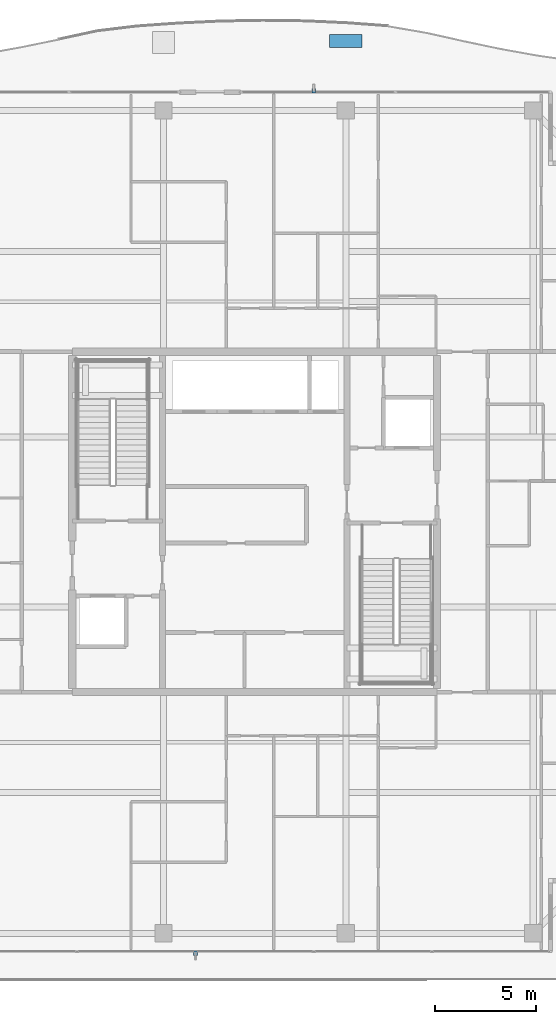
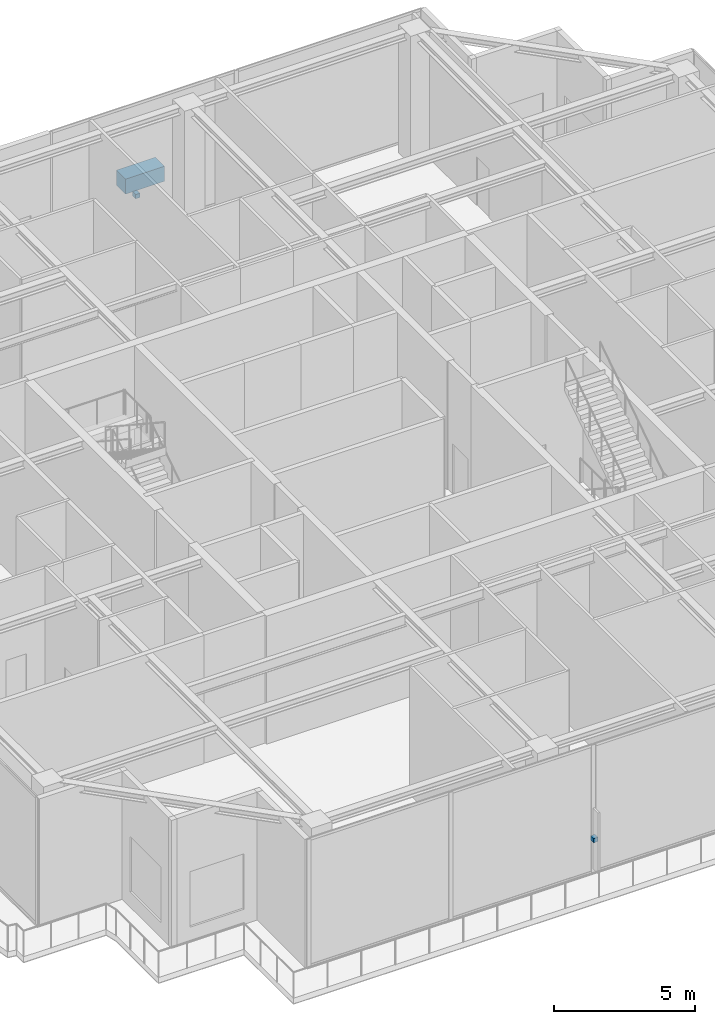
# One storey, part 30 of 38: 3 discrete accessories.
"""IFC4 building model written with IfcOpenShell, lengths in metres."""

from ifc_helpers import new_model, si_unit, direction, frame, origin, origin_2d, place, context, subcontext, project, spatial, rectangle, extrude, source, transform, mapped, material, type_object, element, save


model = new_model("IFC4")

# Units and contexts
model_context = context("Model", 3, precision=1e-05, world=origin(), true_north=direction((0.0, 1.0)))
body_context = subcontext(model_context, "Body", "Model", "MODEL_VIEW")
ifc_project = project(units=[si_unit("LENGTHUNIT", "METRE"), si_unit("AREAUNIT", "SQUARE_METRE"), si_unit("VOLUMEUNIT", "CUBIC_METRE"), si_unit("PLANEANGLEUNIT", "RADIAN"), si_unit("MASSUNIT", "GRAM", prefix="KILO")], contexts=[model_context])

# Site, building, storey
site_placement = place(None, origin())
site = spatial("IfcSite", under=ifc_project, at=site_placement, CompositionType="ELEMENT")
building_placement = place(site_placement, origin())
building = spatial("IfcBuilding", under=site, at=building_placement, Name="Serunith Strait Residences", CompositionType="ELEMENT")
storey_placement = place(building_placement, frame((0.0, 0.0, 353.85009765625)))
storey = spatial("IfcBuildingStorey", under=building, at=storey_placement, Name="L87", CompositionType="ELEMENT", Elevation=353.85009765625)

# Discrete accessories
ifc_material_1 = material(Name="GFRC Irrigated Shrub Trough Planter")
discrete_accessory_type_1 = type_object("IfcDiscreteAccessoryType", Name="ACC-PLANTER-SHRUB", PredefinedType="USERDEFINED", material=ifc_material_1)
shared_shape_1 = source(origin(), body_context, "Body", "SweptSolid", [
    extrude(rectangle(XDim=1.60009765625, YDim=0.64990234375, at=origin_2d()), origin(), (0.0, 0.0, 1.0), 0.64990234375),
])
discrete_accessory_placement = place(storey_placement, frame((36.89990234375, 48.926025390625, -0.050048828125), z_axis=(0.0, 0.0, 1.0), x_axis=(-1.0, 0.0, 0.0)))
element("IfcDiscreteAccessory", 1, at=discrete_accessory_placement, inside=storey, type_object=discrete_accessory_type_1, Name="L87 Vertical-Forest Shrub Planter 07", ObjectType="PLANTER", PredefinedType="USERDEFINED", context=body_context, shape_type="MappedRepresentation", body=[
    mapped(shared_shape_1, transform((0.0, 0.0, 0.0), scale=1.0)),
])
ifc_material_2 = material(Name="Stainless Steel Facade Cleat Bracket", Category="steel")
discrete_accessory_type_2 = type_object("IfcDiscreteAccessoryType", Name="ACC-FIN-BRACKET", PredefinedType="USERDEFINED", material=ifc_material_2)
shared_shape_2 = source(origin(), body_context, "Body", "SweptSolid", [
    extrude(rectangle(XDim=0.179931640625, YDim=0.219970703125, at=origin_2d()), origin(), (0.0, 0.0, 1.0), 0.179931640625),
])
for number, where, z_axis, x_axis, name in (
    (2, (29.47998046875, 3.919921875, 1.41015625), (0.0, 0.0, 1.0), (1.0, 0.0, 0.0), "L87 Solar Fin Cleat Bracket S"),
    (3, (35.320068359375, 46.47998046875, 1.41015625), (0.0, 0.0, 1.0), (1.0, 0.0, 0.0), "L87 Solar Fin Cleat Bracket N"),
):
    element("IfcDiscreteAccessory", number, at=place(storey_placement, frame(where, z_axis=z_axis, x_axis=x_axis)), inside=storey, type_object=discrete_accessory_type_2, Name=name, ObjectType="BRACKET", PredefinedType="USERDEFINED", context=body_context, shape_type="MappedRepresentation", body=[
        mapped(shared_shape_2, transform((0.0, 0.0, 0.0), scale=1.0)),
    ])

save(model, "model.ifc")
